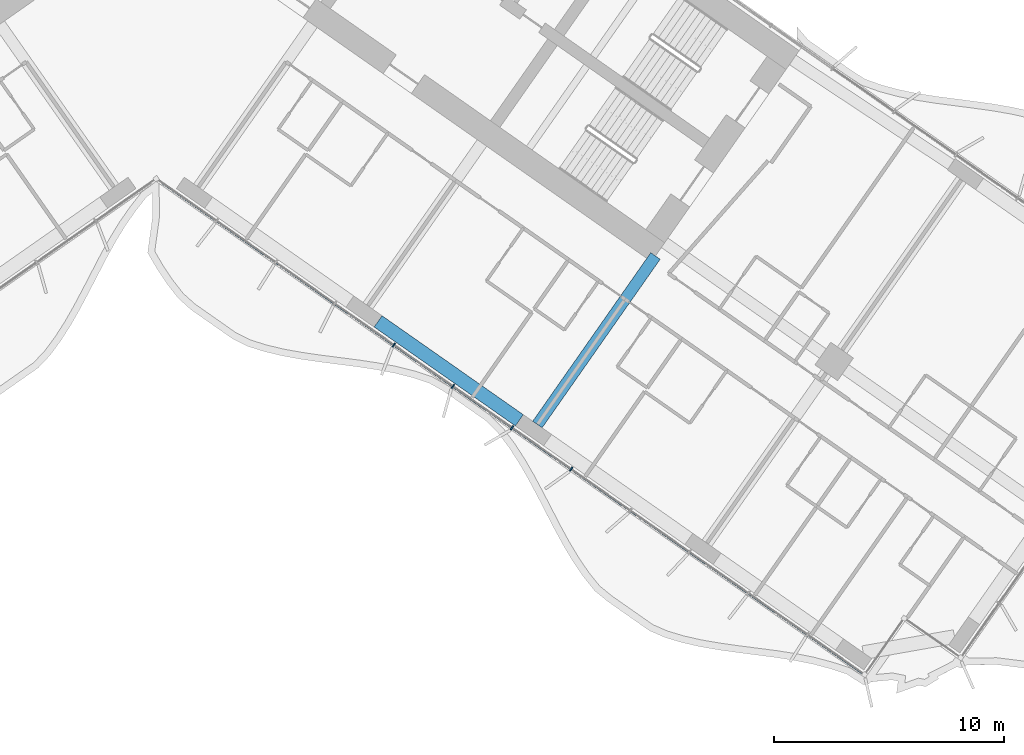
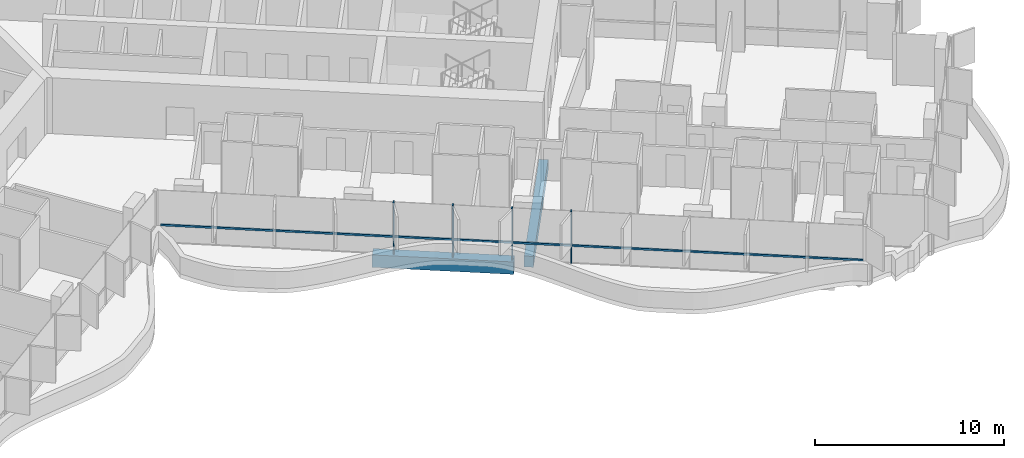
# One storey, part 5 of 25: 5 members, 2 beams, 1 element without a shape of its own.
"""IFC4 building model written with IfcOpenShell, lengths in metres."""

from ifc_helpers import new_model, si_unit, direction, frame, origin, origin_2d, place, context, subcontext, project, spatial, rectangle, extrude, material, material_profile, profile_set, type_object, element, aggregate, save


model = new_model("IFC4")

# Units and contexts
model_context = context("Model", 3, precision=1e-05, world=origin(), true_north=direction((0.0, 1.0)))
body_context = subcontext(model_context, "Body", "Model", "MODEL_VIEW")
ifc_project = project(units=[si_unit("LENGTHUNIT", "METRE"), si_unit("AREAUNIT", "SQUARE_METRE"), si_unit("VOLUMEUNIT", "CUBIC_METRE"), si_unit("PLANEANGLEUNIT", "RADIAN"), si_unit("MASSUNIT", "GRAM", prefix="KILO")], contexts=[model_context])

# Site, building, storey
site_placement = place(None, origin())
site = spatial("IfcSite", under=ifc_project, at=site_placement, CompositionType="ELEMENT")
building_placement = place(site_placement, origin())
building = spatial("IfcBuilding", under=site, at=building_placement, Name="Tel Ilan Convention Tower", CompositionType="ELEMENT")
storey_placement = place(building_placement, frame((0.0, 0.0, 61.699951171875)))
storey = spatial("IfcBuildingStorey", under=building, at=storey_placement, Name="L10", CompositionType="ELEMENT", Elevation=61.699951171875)

# Beams
ifc_material_1 = material(Name="Concrete C40/50", Category="concrete")
ifc_material_profile_1 = material_profile(ifc_material_1, rectangle(XDim=0.5, YDim=0.699951171875, at=origin_2d()), Name="RC 500x700")
ifc_profile_set_1 = profile_set([ifc_material_profile_1], Name="Concrete C40/50")
beam_type_1 = type_object("IfcBeamType", Name="Beam RC 500x700 Concrete C40/50", PredefinedType="BEAM", material=ifc_profile_set_1)
beam_1_placement = place(storey_placement, frame((16.58203125, -23.391357421875, -0.6298828125), z_axis=(0.573584999642, 0.819146048141, 0.0), x_axis=(-0.819146048141, 0.573584999642, 0.0)))
element("IfcBeam", 1, at=beam_1_placement, inside=storey, type_object=beam_type_1, Name="L10 beam E-E-F3-core", PredefinedType="BEAM", context=body_context, shape_type="SweptSolid", body=[
    extrude(rectangle(XDim=0.5, YDim=0.699951171875, at=origin_2d()), origin(), (0.0, 0.0, 1.0), 8.949951171875),
])
ifc_material_2 = material(Name="Concrete C40/50", Category="concrete")
ifc_material_profile_2 = material_profile(ifc_material_2, rectangle(XDim=0.60009765625, YDim=0.800048828125, at=origin_2d()), Name="RC 600x800")
ifc_profile_set_2 = profile_set([ifc_material_profile_2], Name="Concrete C40/50")
beam_type_2 = type_object("IfcBeamType", Name="Beam RC 600x800 Concrete C40/50", PredefinedType="BEAM", material=ifc_profile_set_2)
beam_2_placement = place(storey_placement, frame((9.652099609375, -18.905029296875, -0.679931640625), z_axis=(0.81915238829, -0.573575945067, 0.0), x_axis=(0.573575945067, 0.81915238829, 0.0)))
element("IfcBeam", 2, at=beam_2_placement, inside=storey, type_object=beam_type_2, Name="L10 beam E-E-F2-E-F3", PredefinedType="BEAM", context=body_context, shape_type="SweptSolid", body=[
    extrude(rectangle(XDim=0.60009765625, YDim=0.800048828125, at=origin_2d()), origin(), (0.0, 0.0, 1.0), 7.5),
])

# Curtain wall, members
ifc_material_3 = material(Name="Aluminium, bronze anodised", Category="aluminium")
curtain_wall_type = type_object("IfcCurtainWallType", Name="CW1 UNITISED CURTAIN WALL, HOTEL TINTED GLASS", PredefinedType="NOTDEFINED", material=ifc_material_3)
curtain_wall_placement = place(storey_placement, origin())
curtain_wall = element("IfcCurtainWall", 3, at=curtain_wall_placement, inside=storey, type_object=curtain_wall_type, Name="Curtain wall CW1-11.02", PredefinedType="NOTDEFINED")
ifc_material_4 = material(Name="Aluminium, bronze anodised", Category="aluminium")
ifc_material_profile_3 = material_profile(ifc_material_4, rectangle(XDim=0.06005859375, YDim=0.199951171875, at=origin_2d()), Name="CW MULLION 60x200")
ifc_profile_set_3 = profile_set([ifc_material_profile_3], Name="Aluminium, bronze anodised")
member_type_1 = type_object("IfcMemberType", Name="CW MULLION 60x200", PredefinedType="MULLION", material=ifc_profile_set_3)
member_1_placement = place(storey_placement, frame((10.337158203125, -19.93408203125, 0.0), z_axis=(0.0, 0.0, 1.0), x_axis=(0.819152044289, -0.573576436351, 0.0)))
member_1 = element("IfcMember", 4, at=member_1_placement, type_object=member_type_1, Name="Mullion", PredefinedType="MULLION", context=body_context, shape_type="SweptSolid", body=[
    extrude(rectangle(XDim=0.06005859375, YDim=0.199951171875, at=origin_2d()), origin(), (0.0, 0.0, 1.0), 3.320068359375),
])
member_2_placement = place(storey_placement, frame((12.906982421875, -21.733642578125, 0.0), z_axis=(0.0, 0.0, 1.0), x_axis=(0.819152044289, -0.573576436351, 0.0)))
member_2 = element("IfcMember", 5, at=member_2_placement, type_object=member_type_1, Name="Mullion", PredefinedType="MULLION", context=body_context, shape_type="SweptSolid", body=[
    extrude(rectangle(XDim=0.06005859375, YDim=0.199951171875, at=origin_2d()), origin(), (0.0, 0.0, 1.0), 3.320068359375),
])
member_3_placement = place(storey_placement, frame((15.47705078125, -23.533203125, 0.0), z_axis=(0.0, 0.0, 1.0), x_axis=(0.819152044289, -0.573576436351, 0.0)))
member_3 = element("IfcMember", 6, at=member_3_placement, type_object=member_type_1, Name="Mullion", PredefinedType="MULLION", context=body_context, shape_type="SweptSolid", body=[
    extrude(rectangle(XDim=0.06005859375, YDim=0.199951171875, at=origin_2d()), origin(), (0.0, 0.0, 1.0), 3.320068359375),
])
member_4_placement = place(storey_placement, frame((18.046875, -25.332763671875, 0.0), z_axis=(0.0, 0.0, 1.0), x_axis=(0.819152044289, -0.573576436351, 0.0)))
member_4 = element("IfcMember", 7, at=member_4_placement, type_object=member_type_1, Name="Mullion", PredefinedType="MULLION", context=body_context, shape_type="SweptSolid", body=[
    extrude(rectangle(XDim=0.06005859375, YDim=0.199951171875, at=origin_2d()), origin(), (0.0, 0.0, 1.0), 3.320068359375),
])
ifc_material_5 = material(Name="Aluminium, bronze anodised", Category="aluminium")
ifc_material_profile_4 = material_profile(ifc_material_5, rectangle(XDim=0.10009765625, YDim=0.1201171875, at=origin_2d()), Name="CW TRANSOM 100x120")
ifc_profile_set_4 = profile_set([ifc_material_profile_4], Name="Aluminium, bronze anodised")
member_type_2 = type_object("IfcMemberType", Name="CW TRANSOM 100x120", PredefinedType="USERDEFINED", material=ifc_profile_set_4)
member_5_placement = place(storey_placement, frame((0.22119140625, -12.850830078125, 1.10009765625), z_axis=(0.819152467103, -0.57357583251, 0.0), x_axis=(0.57357583251, 0.819152467103, 0.0)))
member_5 = element("IfcMember", 8, at=member_5_placement, type_object=member_type_2, Name="Transom", ObjectType="TRANSOM", PredefinedType="USERDEFINED", context=body_context, shape_type="SweptSolid", body=[
    extrude(rectangle(XDim=0.10009765625, YDim=0.1201171875, at=origin_2d()), origin(), (0.0, 0.0, 1.0), 37.247802734375),
])
aggregate(curtain_wall, [member_1, member_2, member_3, member_4, member_5])

save(model, "model.ifc")
